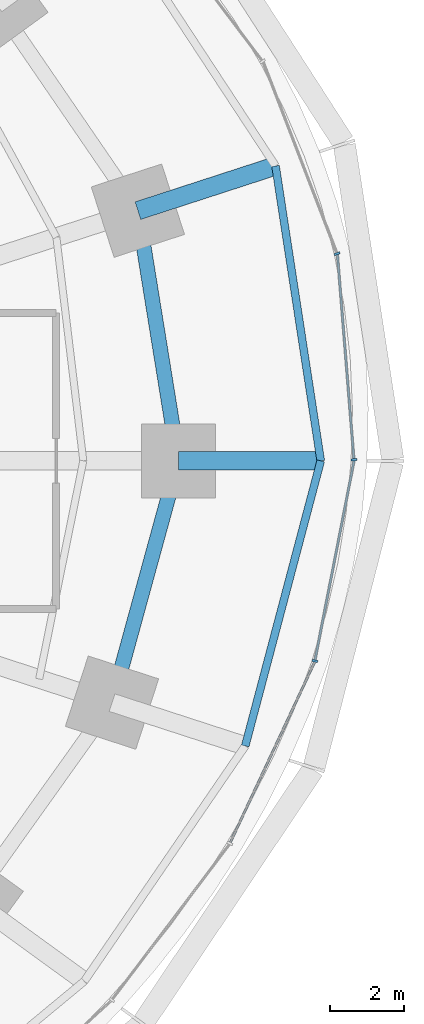
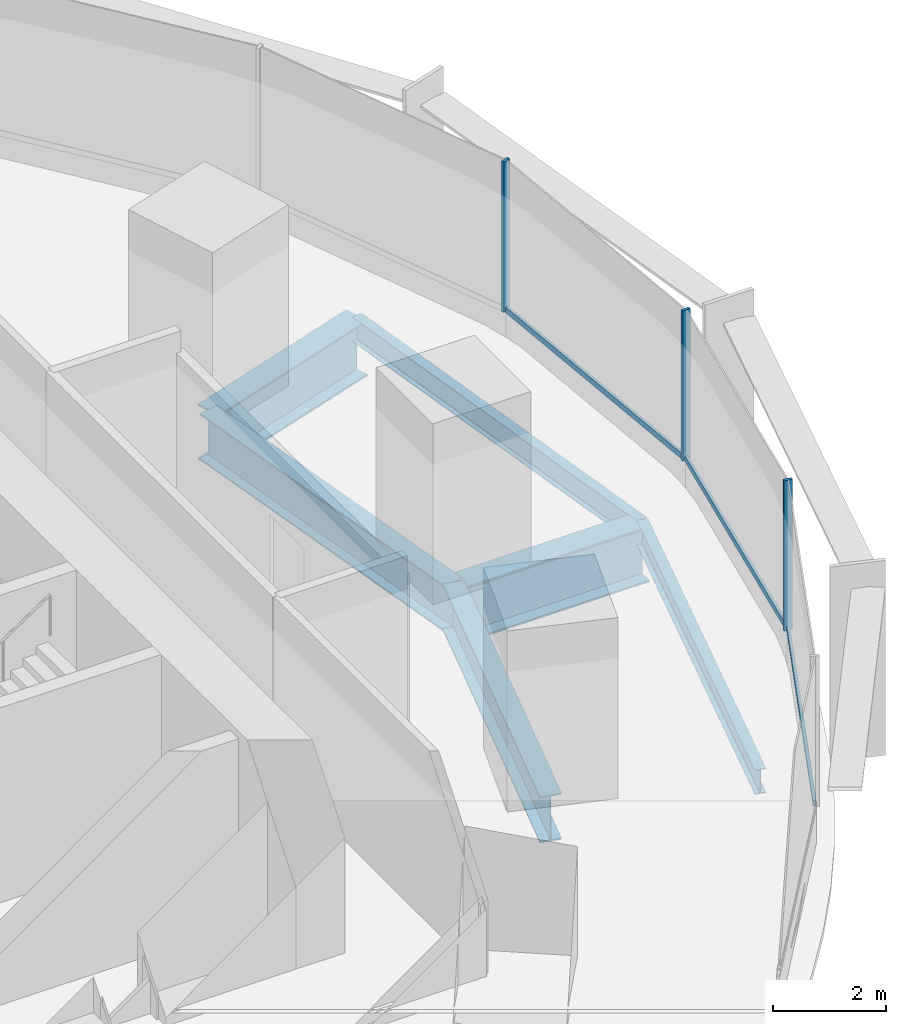
# One storey, part 6 of 15: 6 beams, 6 members, 2 elements without a shape of their own.
"""IFC4 building model written with IfcOpenShell, lengths in metres."""

import ifcopenshell
import ifcopenshell.guid

model = None  # the IFC model being written
_history = None  # IfcOwnerHistory: only IFC2X3 demands one
_inside = {}  # id of a spatial element -> (the spatial element, [elements in it])
_under = {}  # id of a project, library or spatial element -> (it, [spatial elements below it])
_declared = {}  # id of a project -> (the project, [libraries it declares])
_typed = {}  # id of a type object -> (the type object, [elements of that type])
_made_of = {}  # id of a material, layer set ... -> (it, [elements and type objects made of it])


def new_model(schema):
    """Start an empty IFC model of exactly this schema.

    Asked for "IFC4X3", IfcOpenShell would pick the latest addendum, in which some entities
    have other attributes; the version numbers below select the first issue.
    IFC2X3 requires an IfcOwnerHistory on every rooted entity: one is made here for all.
    """
    global model, _history
    if schema == "IFC4X3":
        model = ifcopenshell.file(schema_version=(4, 3, 0, 0))
    else:
        model = ifcopenshell.file(schema=schema)
    _inside.clear()
    _under.clear()
    _declared.clear()
    _typed.clear()
    _made_of.clear()
    _history = None
    if model.schema == "IFC2X3":
        org = make("IfcOrganization", Name="unknown")
        user = make(
            "IfcPersonAndOrganization",
            ThePerson=make("IfcPerson", FamilyName="unknown"),
            TheOrganization=org,
        )
        app = make(
            "IfcApplication",
            ApplicationDeveloper=org,
            Version="unknown",
            ApplicationFullName="unknown",
            ApplicationIdentifier="unknown",
        )
        _history = make(
            "IfcOwnerHistory",
            OwningUser=user,
            OwningApplication=app,
            ChangeAction="ADDED",
            CreationDate=0,
        )
    return model


def make(cls, **values):
    """One entity of the class cls with the attributes given. An attribute that is None is left unset."""
    return model.create_entity(
        cls, **{name: value for name, value in values.items() if value is not None}
    )


def rooted(cls, **values):
    """An entity with a GlobalId (a new one), such as an element, a storey or a relation."""
    return make(cls, GlobalId=ifcopenshell.guid.new(), OwnerHistory=_history, **values)


def si_unit(unit_type, name, prefix=None):
    """IfcSIUnit, for example si_unit("LENGTHUNIT", "METRE", prefix="MILLI")."""
    return make("IfcSIUnit", UnitType=unit_type, Prefix=prefix, Name=name)


def assignment(units):
    """IfcUnitAssignment: the units of a project."""
    return None if units is None else make("IfcUnitAssignment", Units=units)


def point(xyz):
    """IfcCartesianPoint."""
    return None if xyz is None else make("IfcCartesianPoint", Coordinates=xyz)


def direction(xyz):
    """IfcDirection."""
    return None if xyz is None else make("IfcDirection", DirectionRatios=xyz)


def frame(location, z_axis=None, x_axis=None):
    """IfcAxis2Placement3D, a coordinate frame: its origin and axes. An axis left out is left unset."""
    return make(
        "IfcAxis2Placement3D",
        Location=point(location),
        Axis=direction(z_axis),
        RefDirection=direction(x_axis),
    )


def frame_2d(location, x_axis=None):
    """IfcAxis2Placement2D, a coordinate frame in the plane: its origin and x axis."""
    return make(
        "IfcAxis2Placement2D", Location=point(location), RefDirection=direction(x_axis)
    )


def origin():
    """The frame at (0, 0, 0) with its axes left unset."""
    return frame((0.0, 0.0, 0.0))


def origin_2d():
    """The frame at (0, 0) in the plane with its x axis left unset."""
    return frame_2d((0.0, 0.0))


def place(relative_to, where):
    """IfcLocalPlacement: puts the frame where relative to a parent placement (None: the world)."""
    return make(
        "IfcLocalPlacement", PlacementRelTo=relative_to, RelativePlacement=where
    )


def context(
    kind, dimensions, precision=None, world=None, true_north=None, identifier=None
):
    """IfcGeometricRepresentationContext, for example the 3D "Model" context."""
    return make(
        "IfcGeometricRepresentationContext",
        ContextIdentifier=identifier,
        ContextType=kind,
        CoordinateSpaceDimension=dimensions,
        Precision=precision,
        WorldCoordinateSystem=world,
        TrueNorth=true_north,
    )


def subcontext(parent, identifier, kind, view, scale=None):
    """IfcGeometricRepresentationSubContext, for example "Body" below "Model"."""
    return make(
        "IfcGeometricRepresentationSubContext",
        ContextIdentifier=identifier,
        ContextType=kind,
        ParentContext=parent,
        TargetScale=scale,
        TargetView=view,
    )


def project(units=None, contexts=None):
    """IfcProject with its units and contexts."""
    return rooted(
        "IfcProject",
        Name="project",
        RepresentationContexts=contexts,
        UnitsInContext=assignment(units),
    )


def spatial(cls, under=None, at=None, **own):
    """A site, building, storey or space (cls), placed at a placement, below another one or the project."""
    s = rooted(cls, ObjectPlacement=at, **own)
    if under is not None:
        _under.setdefault(under.id(), (under, []))[1].append(s)
    return s


def profile(cls, at=None, kind="AREA", **sizes):
    """A parametric profile (cls). Its sizes go by their IFC names, for example OverallWidth=200.0."""
    return make(cls, ProfileType=kind, Position=at, **sizes)


def rectangle(**sizes):
    """IfcRectangleProfileDef."""
    return profile("IfcRectangleProfileDef", **sizes)


def i_section(**sizes):
    """IfcIShapeProfileDef."""
    return profile("IfcIShapeProfileDef", **sizes)


def extrude(swept, where, along, depth):
    """IfcExtrudedAreaSolid: the profile swept, set in the frame where, extruded along a direction by depth."""
    return make(
        "IfcExtrudedAreaSolid",
        SweptArea=swept,
        Position=where,
        ExtrudedDirection=direction(along),
        Depth=depth,
    )


def shape(context_of_items, identifier, shape_type, items):
    """IfcShapeRepresentation: the items that make up one representation, for example the "Body"."""
    return make(
        "IfcShapeRepresentation",
        ContextOfItems=context_of_items,
        RepresentationIdentifier=identifier,
        RepresentationType=shape_type,
        Items=items,
    )


def material(Name=None, Category=None):
    """IfcMaterial."""
    return make("IfcMaterial", Name=Name, Category=Category)


def material_profile(
    of_material, cross_section, Name=None, Category=None, Priority=None
):
    """IfcMaterialProfile: a cross section and its material."""
    return make(
        "IfcMaterialProfile",
        Name=Name,
        Material=of_material,
        Profile=cross_section,
        Priority=Priority,
        Category=Category,
    )


def profile_set(profiles, Name=None, composite=None):
    """IfcMaterialProfileSet."""
    return make(
        "IfcMaterialProfileSet",
        Name=Name,
        MaterialProfiles=profiles,
        CompositeProfile=composite,
    )


def made_of(thing, what):
    """Note that an element or type object is made of a material, layer set ...; save() writes the relation."""
    if what is not None:
        _made_of.setdefault(what.id(), (what, []))[1].append(thing)
    return thing


def type_object(cls, material=None, **own):
    """A type object (cls), such as IfcWallType, which elements share."""
    return made_of(rooted(cls, **own), material)


def element(
    cls,
    number,
    at=None,
    inside=None,
    cuts=None,
    type_object=None,
    material=None,
    context=None,
    identifier="Body",
    shape_type=None,
    held_by="IfcProductDefinitionShape",
    body=None,
    shapes=None,
    **own,
):
    """One element of the class cls, such as IfcWall. Its Tag is "e" and its number.

    at: its placement. inside: the storey or other place that contains it. cuts: it is an
    opening in that element (IfcRelVoidsElement). A single representation is given by context,
    identifier, shape_type and body (its items); several are given by shapes. held_by: the class
    of the entity that holds the representations. save() writes the other relations.
    """
    e = rooted(cls, Tag="e%d" % number, ObjectPlacement=at, **own)
    if body is not None:
        shapes = [shape(context, identifier, shape_type, body)]
    if shapes is not None:
        e.Representation = make(held_by, Representations=shapes)
    if inside is not None:
        _inside.setdefault(inside.id(), (inside, []))[1].append(e)
    if cuts is not None:
        rooted(
            "IfcRelVoidsElement", RelatingBuildingElement=cuts, RelatedOpeningElement=e
        )
    if type_object is not None:
        _typed.setdefault(type_object.id(), (type_object, []))[1].append(e)
    return made_of(e, material)


def aggregate(whole, parts):
    """IfcRelAggregates: a whole, such as a stair, and the parts it consists of."""
    return rooted("IfcRelAggregates", RelatingObject=whole, RelatedObjects=parts)


def save(model, path):
    """Write the relations noted so far, then the file.

    IfcRelAggregates (storeys below a building ...), IfcRelContainedInSpatialStructure (elements
    in a storey), IfcRelDefinesByType, IfcRelAssociatesMaterial and IfcRelDeclares: one each for
    every whole, place, type object, material and project.
    """
    for whole, parts in _under.values():
        aggregate(whole, parts)
    for where, things in _inside.values():
        rooted(
            "IfcRelContainedInSpatialStructure",
            RelatedElements=things,
            RelatingStructure=where,
        )
    for kind, things in _typed.values():
        rooted("IfcRelDefinesByType", RelatedObjects=things, RelatingType=kind)
    for what, things in _made_of.values():
        rooted("IfcRelAssociatesMaterial", RelatedObjects=things, RelatingMaterial=what)
    for by, libraries in _declared.values():
        rooted("IfcRelDeclares", RelatingContext=by, RelatedDefinitions=libraries)
    model.write(path)


model = new_model("IFC4")

# Units and contexts
model_context = context("Model", 3, precision=1e-05, world=origin(), true_north=direction((0.0, 1.0)))
body_context = subcontext(model_context, "Body", "Model", "MODEL_VIEW")
ifc_project = project(units=[si_unit("LENGTHUNIT", "METRE"), si_unit("AREAUNIT", "SQUARE_METRE"), si_unit("VOLUMEUNIT", "CUBIC_METRE"), si_unit("PLANEANGLEUNIT", "RADIAN"), si_unit("MASSUNIT", "GRAM", prefix="KILO")], contexts=[model_context])

# Site, building, storey
site_placement = place(None, origin())
site = spatial("IfcSite", under=ifc_project, at=site_placement, CompositionType="ELEMENT")
building_placement = place(site_placement, origin())
building = spatial("IfcBuilding", under=site, at=building_placement, Name="Marramba Exchange Tower", CompositionType="ELEMENT")
storey_placement = place(building_placement, frame((0.0, 0.0, 53.199951171875)))
storey = spatial("IfcBuildingStorey", under=building, at=storey_placement, Name="L12", CompositionType="ELEMENT", Elevation=53.199951171875)

# Beams
ifc_material_1 = material(Name="Steel AS/NZS 3679.2 grade 300", Category="steel")
ifc_material_profile_1 = material_profile(ifc_material_1, i_section(OverallWidth=0.5, OverallDepth=1.199951171875, WebThickness=0.01611328125, FlangeThickness=0.0400390625, at=origin_2d()), Name="1200WB455")
ifc_profile_set_1 = profile_set([ifc_material_profile_1], Name="Steel AS/NZS 3679.2 grade 300")
beam_type_1 = type_object("IfcBeamType", Name="Cantilever girder 1200WB455", PredefinedType="BEAM", material=ifc_profile_set_1)
beam_1_placement = place(storey_placement, frame((21.89990234375, 0.0, -0.760009765625), z_axis=(1.0, 0.0, 0.0), x_axis=(0.0, 1.0, 0.0)))
element("IfcBeam", 1, at=beam_1_placement, inside=storey, type_object=beam_type_1, Name="Cantilever girder L12 TC01", PredefinedType="BEAM", context=body_context, shape_type="SweptSolid", body=[
    extrude(i_section(OverallWidth=0.5, OverallDepth=1.199951171875, WebThickness=0.01611328125, FlangeThickness=0.0400390625, at=origin_2d()), origin(), (0.0, 0.0, 1.0), 3.85009765625),
])
beam_2_placement = place(storey_placement, frame((20.808349609375, 6.760986328125, -0.760009765625), z_axis=(0.951058833549, 0.309009862508, 0.0), x_axis=(-0.309009862508, 0.951058833549, 0.0)))
element("IfcBeam", 2, at=beam_2_placement, inside=storey, type_object=beam_type_1, Name="Cantilever girder L12 TC02", PredefinedType="BEAM", context=body_context, shape_type="SweptSolid", body=[
    extrude(i_section(OverallWidth=0.5, OverallDepth=1.199951171875, WebThickness=0.01611328125, FlangeThickness=0.0400390625, at=origin_2d()), origin(), (0.0, 0.0, 1.0), 3.91162109375),
])
ifc_material_profile_2 = material_profile(ifc_material_1, i_section(OverallWidth=0.39990234375, OverallDepth=1.0, WebThickness=0.01611328125, FlangeThickness=0.031982421875, at=origin_2d()), Name="1000WB322")
ifc_profile_set_2 = profile_set([ifc_material_profile_2], Name="Steel AS/NZS 3679.2 grade 300")
beam_type_2 = type_object("IfcBeamType", Name="Ring beam 1000WB322", PredefinedType="SPANDREL", material=ifc_profile_set_2)
beam_3_placement = place(storey_placement, frame((21.89990234375, 0.0, -0.659912109375), z_axis=(-0.159384865399, 0.987216523708, 0.0), x_axis=(-0.987216523708, -0.159384865399, 0.0)))
element("IfcBeam", 3, at=beam_3_placement, inside=storey, type_object=beam_type_2, Name="Ring beam L12 TC01-TC02", PredefinedType="SPANDREL", context=body_context, shape_type="SweptSolid", body=[
    extrude(i_section(OverallWidth=0.39990234375, OverallDepth=1.0, WebThickness=0.01611328125, FlangeThickness=0.031982421875, at=origin_2d()), origin(), (0.0, 0.0, 1.0), 6.8486328125),
])
beam_4_placement = place(storey_placement, frame((20.109375, -6.533935546875, -0.659912109375), z_axis=(0.264291166956, 0.964442937176, 0.0), x_axis=(-0.964442937176, 0.264291166956, 0.0)))
element("IfcBeam", 4, at=beam_4_placement, inside=storey, type_object=beam_type_2, Name="Ring beam L12 TC20-TC01", PredefinedType="SPANDREL", context=body_context, shape_type="SweptSolid", body=[
    extrude(i_section(OverallWidth=0.39990234375, OverallDepth=1.0, WebThickness=0.01611328125, FlangeThickness=0.031982421875, at=origin_2d()), origin(), (0.0, 0.0, 1.0), 6.77490234375),
])
ifc_material_2 = material(Name="Steel AS/NZS 3679.1 grade 300", Category="steel")
ifc_material_profile_3 = material_profile(ifc_material_2, i_section(OverallWidth=0.208984375, OverallDepth=0.528076171875, WebThickness=0.009521484375, FlangeThickness=0.01318359375, FilletRadius=0.013916015625, at=origin_2d()), Name="530UB82.0")
ifc_profile_set_3 = profile_set([ifc_material_profile_3], Name="Steel AS/NZS 3679.1 grade 300")
beam_type_3 = type_object("IfcBeamType", Name="Slab edge beam 530UB82.0", PredefinedType="SPANDREL", material=ifc_profile_set_3)
beam_5_placement = place(storey_placement, frame((25.75, 0.0, -0.424072265625), z_axis=(-0.151490591645, 0.988458699513, 0.0), x_axis=(-0.988458699513, -0.151490591645, 0.0)))
element("IfcBeam", 5, at=beam_5_placement, inside=storey, type_object=beam_type_3, Name="Slab edge beam L12 TC01-TC02", PredefinedType="SPANDREL", context=body_context, shape_type="SweptSolid", body=[
    extrude(i_section(OverallWidth=0.208984375, OverallDepth=0.528076171875, WebThickness=0.009521484375, FlangeThickness=0.01318359375, FilletRadius=0.013916015625, at=origin_2d()), origin(), (0.0, 0.0, 1.0), 8.062744140625),
])
beam_6_placement = place(storey_placement, frame((23.709716796875, -7.703857421875, -0.424072265625), z_axis=(0.25601296674, 0.966673347549, 0.0), x_axis=(-0.966673347549, 0.25601296674, 0.0)))
element("IfcBeam", 6, at=beam_6_placement, inside=storey, type_object=beam_type_3, Name="Slab edge beam L12 TC20-TC01", PredefinedType="SPANDREL", context=body_context, shape_type="SweptSolid", body=[
    extrude(i_section(OverallWidth=0.208984375, OverallDepth=0.528076171875, WebThickness=0.009521484375, FlangeThickness=0.01318359375, FilletRadius=0.013916015625, at=origin_2d()), origin(), (0.0, 0.0, 1.0), 7.969482421875),
])

# Curtain wall, members
ifc_material_3 = material(Name="Aluminium framing, bronze anodised", Category="aluminium")
curtain_wall_type = type_object("IfcCurtainWallType", Name="Trading floor ribbon curtain wall", PredefinedType="USERDEFINED", material=ifc_material_3)
curtain_wall_1_placement = place(storey_placement, origin())
curtain_wall_1 = element("IfcCurtainWall", 7, at=curtain_wall_1_placement, inside=storey, type_object=curtain_wall_type, Name="Curtain wall CW3 L12 F01-F05", ObjectType="RIBBON CURTAIN WALL", PredefinedType="USERDEFINED")
ifc_material_4 = material(Name="Aluminium mullion, bronze anodised", Category="aluminium")
ifc_material_profile_4 = material_profile(ifc_material_4, rectangle(XDim=0.159912109375, YDim=0.06005859375, at=origin_2d()), Name="CW3 mullion 60x160")
ifc_profile_set_4 = profile_set([ifc_material_profile_4], Name="Aluminium mullion, bronze anodised")
member_type_1 = type_object("IfcMemberType", Name="Trading floor ribbon curtain wall mullion", PredefinedType="MULLION", material=ifc_profile_set_4)
member_1_placement = place(storey_placement, frame((26.647705078125, 0.02978515625, 0.800048828125), z_axis=(0.0, 0.0, 1.0), x_axis=(-0.996772736434, -0.080275225953, 0.0)))
member_1 = element("IfcMember", 8, at=member_1_placement, type_object=member_type_1, Name="CW3 mullion 1", PredefinedType="MULLION", context=body_context, shape_type="SweptSolid", body=[
    extrude(rectangle(XDim=0.159912109375, YDim=0.06005859375, at=origin_2d()), origin(), (0.0, 0.0, 1.0), 3.239990234375),
])
member_2_placement = place(storey_placement, frame((26.190673828125, 5.597412109375, 0.800048828125), z_axis=(0.0, 0.0, 1.0), x_axis=(-0.933135256626, -0.359525510698, 0.0)))
member_2 = element("IfcMember", 9, at=member_2_placement, type_object=member_type_1, Name="CW3 mullion 1", PredefinedType="MULLION", context=body_context, shape_type="SweptSolid", body=[
    extrude(rectangle(XDim=0.159912109375, YDim=0.06005859375, at=origin_2d()), origin(), (0.0, 0.0, 1.0), 3.239990234375),
])

# Curtain wall, member
curtain_wall_2_placement = place(storey_placement, origin())
curtain_wall_2 = element("IfcCurtainWall", 10, at=curtain_wall_2_placement, inside=storey, type_object=curtain_wall_type, Name="Curtain wall CW3 L12 F26-F30", ObjectType="RIBBON CURTAIN WALL", PredefinedType="USERDEFINED")
member_3_placement = place(storey_placement, frame((25.59033203125, -5.40869140625, 0.800048828125), z_axis=(0.0, 0.0, 1.0), x_axis=(-0.981346261612, 0.1922485756, 0.0)))
member_3 = element("IfcMember", 11, at=member_3_placement, type_object=member_type_1, Name="CW3 mullion 1", PredefinedType="MULLION", context=body_context, shape_type="SweptSolid", body=[
    extrude(rectangle(XDim=0.159912109375, YDim=0.06005859375, at=origin_2d()), origin(), (0.0, 0.0, 1.0), 3.239990234375),
])

# Member
ifc_material_5 = material(Name="Aluminium transom, bronze anodised", Category="aluminium")
ifc_material_profile_5 = material_profile(ifc_material_5, rectangle(XDim=0.06005859375, YDim=0.1201171875, at=origin_2d()), Name="CW3 transom 60x120")
ifc_profile_set_5 = profile_set([ifc_material_profile_5], Name="Aluminium transom, bronze anodised")
member_type_2 = type_object("IfcMemberType", Name="Trading floor ribbon curtain wall transom", PredefinedType="USERDEFINED", material=ifc_profile_set_5)
member_4_placement = place(storey_placement, frame((26.645263671875, 0.059814453125, 0.830078125), z_axis=(-0.080299960686, 0.99677074411, 0.0), x_axis=(-0.99677074411, -0.080299960686, 0.0)))
member_4 = element("IfcMember", 12, at=member_4_placement, type_object=member_type_2, Name="CW3 sill transom", ObjectType="TRANSOM", PredefinedType="USERDEFINED", context=body_context, shape_type="SweptSolid", body=[
    extrude(rectangle(XDim=0.06005859375, YDim=0.1201171875, at=origin_2d()), origin(), (0.0, 0.0, 1.0), 5.52734375),
])

aggregate(curtain_wall_1, [member_1, member_4, member_2])

member_5_placement = place(storey_placement, frame((23.306640625, -10.31103515625, 0.830078125), z_axis=(0.423511514213, 0.905890720412, 0.0), x_axis=(-0.905890720412, 0.423511514213, 0.0)))
member_5 = element("IfcMember", 13, at=member_5_placement, type_object=member_type_2, Name="CW3 sill transom", ObjectType="TRANSOM", PredefinedType="USERDEFINED", context=body_context, shape_type="SweptSolid", body=[
    extrude(rectangle(XDim=0.06005859375, YDim=0.1201171875, at=origin_2d()), origin(), (0.0, 0.0, 1.0), 5.37890625),
])

member_6_placement = place(storey_placement, frame((25.59619140625, -5.37939453125, 0.830078125), z_axis=(0.192226081646, 0.981350667975, 0.0), x_axis=(-0.981350667975, 0.192226081646, 0.0)))
member_6 = element("IfcMember", 14, at=member_6_placement, type_object=member_type_2, Name="CW3 sill transom", ObjectType="TRANSOM", PredefinedType="USERDEFINED", context=body_context, shape_type="SweptSolid", body=[
    extrude(rectangle(XDim=0.06005859375, YDim=0.1201171875, at=origin_2d()), origin(), (0.0, 0.0, 1.0), 5.481689453125),
])

aggregate(curtain_wall_2, [member_5, member_3, member_6])

save(model, "model.ifc")
